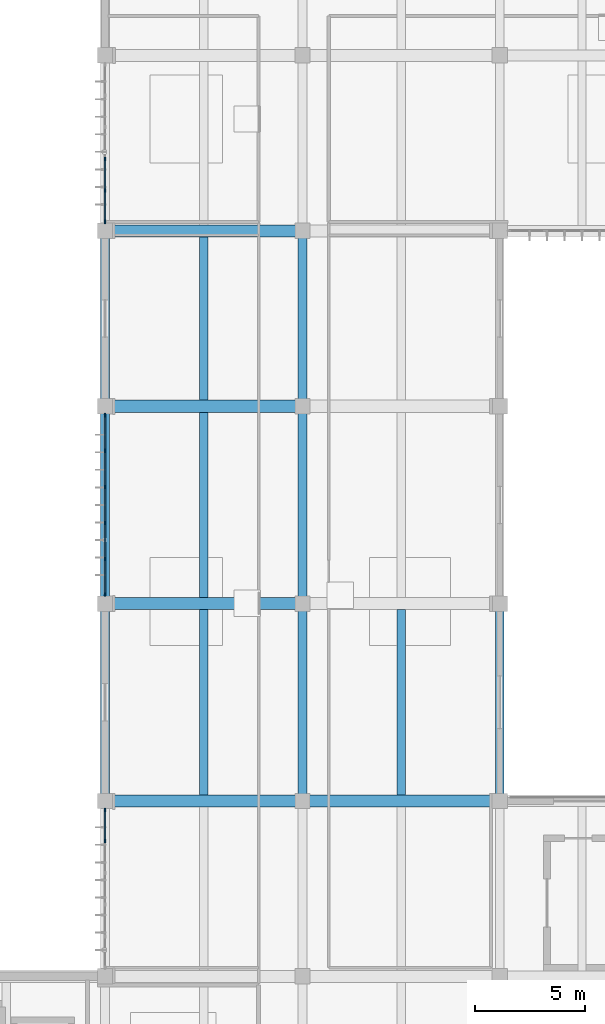
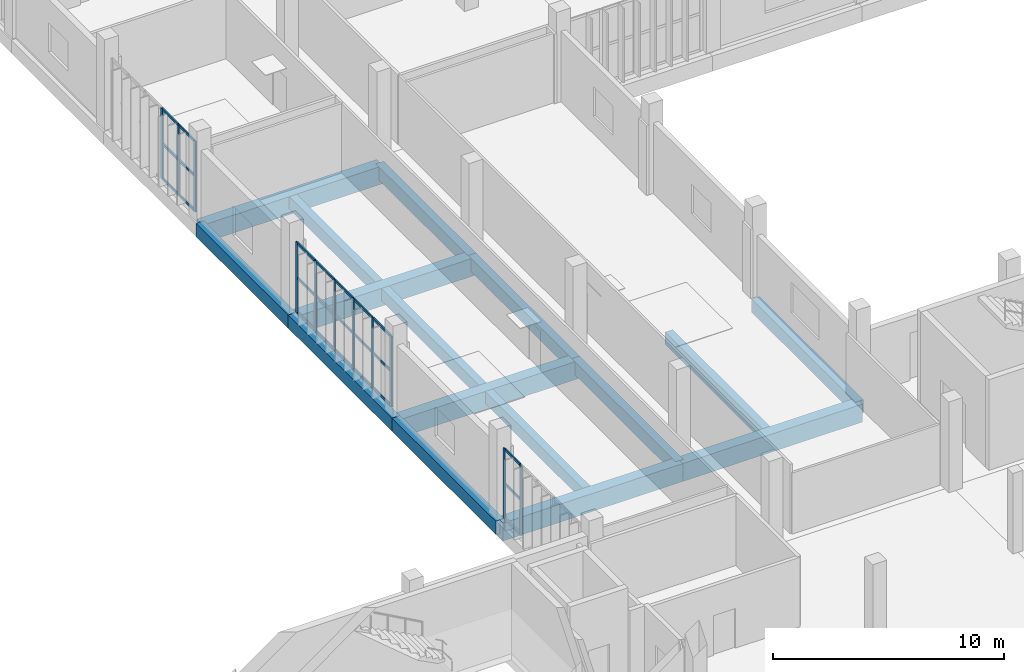
# One storey, part 9 of 72: 35 members, 16 beams, 3 elements without a shape of their own.
"""IFC4 building model written with IfcOpenShell, lengths in metres."""

from ifc_helpers import new_model, si_unit, direction, frame, origin, origin_2d, place, context, subcontext, project, spatial, rectangle, extrude, material, material_profile, profile_set, type_object, element, aggregate, save


model = new_model("IFC4")

# Units and contexts
model_context = context("Model", 3, precision=1e-05, world=origin(), true_north=direction((0.0, 1.0)))
body_context = subcontext(model_context, "Body", "Model", "MODEL_VIEW")
ifc_project = project(units=[si_unit("LENGTHUNIT", "METRE"), si_unit("AREAUNIT", "SQUARE_METRE"), si_unit("VOLUMEUNIT", "CUBIC_METRE"), si_unit("PLANEANGLEUNIT", "RADIAN"), si_unit("MASSUNIT", "GRAM", prefix="KILO")], contexts=[model_context])

# Site, building, storey
site_placement = place(None, origin())
site = spatial("IfcSite", under=ifc_project, at=site_placement, CompositionType="ELEMENT")
building_placement = place(site_placement, origin())
building = spatial("IfcBuilding", under=site, at=building_placement, Name="Vourika Railside Aquatics Centre", CompositionType="ELEMENT")
storey_placement = place(building_placement, origin())
storey = spatial("IfcBuildingStorey", under=building, at=storey_placement, Name="L00", CompositionType="ELEMENT", Elevation=0.0)

# Beams
ifc_material_1 = material(Name="Concrete C35/45", Category="concrete")
ifc_material_profile_1 = material_profile(ifc_material_1, rectangle(XDim=0.39990234375, YDim=0.699951171875, at=origin_2d()), Name="RC 400x700")
ifc_profile_set_1 = profile_set([ifc_material_profile_1], Name="Concrete C35/45")
beam_type_1 = type_object("IfcBeamType", Name="BM-GIRD-400x700", PredefinedType="BEAM", material=ifc_profile_set_1)
for number, where, z_axis, x_axis, name in (
    (1, (18.0, 66.0, -0.669921875), (0.0, 1.0, 0.0), (-1.0, 0.0, 0.0), "Floor Girder GY-L00-194"),
    (2, (18.0, 75.0, -0.669921875), (0.0, 1.0, 0.0), (-1.0, 0.0, 0.0), "Floor Girder GY-L00-195"),
):
    element("IfcBeam", number, at=place(storey_placement, frame(where, z_axis=z_axis, x_axis=x_axis)), inside=storey, type_object=beam_type_1, Name=name, PredefinedType="BEAM", context=body_context, shape_type="SweptSolid", body=[
        extrude(rectangle(XDim=0.39990234375, YDim=0.699951171875, at=origin_2d()), origin(), (0.0, 0.0, 1.0), 9.0),
    ])
beam_1_placement = place(storey_placement, frame((18.0, 84.0, -0.669921875), z_axis=(0.0, 1.0, 0.0), x_axis=(-1.0, 0.0, 0.0)))
element("IfcBeam", 3, at=beam_1_placement, inside=storey, type_object=beam_type_1, Name="Floor Girder GY-L00-196", PredefinedType="BEAM", context=body_context, shape_type="SweptSolid", body=[
    extrude(rectangle(XDim=0.39990234375, YDim=0.699951171875, at=origin_2d()), origin(), (0.0, 0.0, 1.0), 8.0),
])
for number, where, z_axis, x_axis, name in (
    (4, (27.0, 66.0, -0.669921875), (0.0, 1.0, 0.0), (-1.0, 0.0, 0.0), "Floor Girder GY-L00-202"),
    (5, (27.0, 75.0, -0.669921875), (0.0, 1.0, 0.0), (-1.0, 0.0, 0.0), "Floor Girder GY-L00-203"),
):
    element("IfcBeam", number, at=place(storey_placement, frame(where, z_axis=z_axis, x_axis=x_axis)), inside=storey, type_object=beam_type_1, Name=name, PredefinedType="BEAM", context=body_context, shape_type="SweptSolid", body=[
        extrude(rectangle(XDim=0.39990234375, YDim=0.699951171875, at=origin_2d()), origin(), (0.0, 0.0, 1.0), 9.0),
    ])
beam_2_placement = place(storey_placement, frame((27.0, 84.0, -0.669921875), z_axis=(0.0, 1.0, 0.0), x_axis=(-1.0, 0.0, 0.0)))
element("IfcBeam", 6, at=beam_2_placement, inside=storey, type_object=beam_type_1, Name="Floor Girder GY-L00-204", PredefinedType="BEAM", context=body_context, shape_type="SweptSolid", body=[
    extrude(rectangle(XDim=0.39990234375, YDim=0.699951171875, at=origin_2d()), origin(), (0.0, 0.0, 1.0), 8.0),
])
beam_3_placement = place(storey_placement, frame((36.0, 66.0, -0.669921875), z_axis=(0.0, 1.0, 0.0), x_axis=(-1.0, 0.0, 0.0)))
element("IfcBeam", 7, at=beam_3_placement, inside=storey, type_object=beam_type_1, Name="Floor Girder GY-L00-215", PredefinedType="BEAM", context=body_context, shape_type="SweptSolid", body=[
    extrude(rectangle(XDim=0.39990234375, YDim=0.699951171875, at=origin_2d()), origin(), (0.0, 0.0, 1.0), 9.0),
])
ifc_material_2 = material(Name="Concrete C40/50", Category="concrete")
ifc_material_profile_2 = material_profile(ifc_material_2, rectangle(XDim=0.550048828125, YDim=0.949951171875, at=origin_2d()), Name="RC 550x950")
ifc_profile_set_2 = profile_set([ifc_material_profile_2], Name="Concrete C40/50")
beam_type_2 = type_object("IfcBeamType", Name="BM-GIRD-550x950", PredefinedType="BEAM", material=ifc_profile_set_2)
for number, where, z_axis, x_axis, name in (
    (8, (18.0, 66.0, -0.794921875), (1.0, 0.0, 0.0), (0.0, 1.0, 0.0), "Floor Beam GX-L00-095"),
    (9, (27.0, 66.0, -0.794921875), (1.0, 0.0, 0.0), (0.0, 1.0, 0.0), "Floor Beam GX-L00-096"),
    (10, (18.0, 75.0, -0.794921875), (1.0, 0.0, 0.0), (0.0, 1.0, 0.0), "Floor Beam GX-L00-114"),
    (11, (18.0, 84.0, -0.794921875), (1.0, 0.0, 0.0), (0.0, 1.0, 0.0), "Floor Beam GX-L00-119"),
    (12, (18.0, 92.0, -0.794921875), (1.0, 0.0, 0.0), (0.0, 1.0, 0.0), "Floor Beam GX-L00-124"),
):
    element("IfcBeam", number, at=place(storey_placement, frame(where, z_axis=z_axis, x_axis=x_axis)), inside=storey, type_object=beam_type_2, Name=name, PredefinedType="BEAM", context=body_context, shape_type="SweptSolid", body=[
        extrude(rectangle(XDim=0.550048828125, YDim=0.949951171875, at=origin_2d()), origin(), (0.0, 0.0, 1.0), 9.0),
    ])
ifc_material_profile_3 = material_profile(ifc_material_1, rectangle(XDim=0.3798828125, YDim=0.64990234375, at=origin_2d()), Name="RC 380x650")
ifc_profile_set_3 = profile_set([ifc_material_profile_3], Name="Concrete C35/45")
beam_type_3 = type_object("IfcBeamType", Name="BM-SEC-380x650", PredefinedType="JOIST", material=ifc_profile_set_3)
for number, where, z_axis, x_axis, name in (
    (13, (22.5, 66.27490234375, -0.64501953125), (0.0, 1.0, 0.0), (-1.0, 0.0, 0.0), "Secondary Joist JY-L00-419"),
    (14, (31.5, 66.27490234375, -0.64501953125), (0.0, 1.0, 0.0), (-1.0, 0.0, 0.0), "Secondary Joist JY-L00-420"),
    (15, (22.5, 75.27490234375, -0.64501953125), (0.0, 1.0, 0.0), (-1.0, 0.0, 0.0), "Secondary Joist JY-L00-424"),
):
    element("IfcBeam", number, at=place(storey_placement, frame(where, z_axis=z_axis, x_axis=x_axis)), inside=storey, type_object=beam_type_3, Name=name, PredefinedType="JOIST", context=body_context, shape_type="SweptSolid", body=[
        extrude(rectangle(XDim=0.3798828125, YDim=0.64990234375, at=origin_2d()), origin(), (0.0, 0.0, 1.0), 8.4501953125),
    ])
beam_4_placement = place(storey_placement, frame((22.5, 84.27490234375, -0.64501953125), z_axis=(0.0, 1.0, 0.0), x_axis=(-1.0, 0.0, 0.0)))
element("IfcBeam", 16, at=beam_4_placement, inside=storey, type_object=beam_type_3, Name="Secondary Joist JY-L00-429", PredefinedType="JOIST", context=body_context, shape_type="SweptSolid", body=[
    extrude(rectangle(XDim=0.3798828125, YDim=0.64990234375, at=origin_2d()), origin(), (0.0, 0.0, 1.0), 7.4501953125),
])

# Curtain wall, members
ifc_material_3 = material(Name="Anodized thermally broken aluminium", Category="aluminium")
curtain_wall_type = type_object("IfcCurtainWallType", Name="CW-FIT0", PredefinedType="NOTDEFINED", material=ifc_material_3)
curtain_wall_1_placement = place(storey_placement, origin())
curtain_wall_1 = element("IfcCurtainWall", 17, at=curtain_wall_1_placement, inside=storey, type_object=curtain_wall_type, Name="Fitness West Boulevard Curtain Wall L00-1", PredefinedType="NOTDEFINED")
ifc_material_4 = material(Name="Anodized aluminium mullion", Category="aluminium")
ifc_material_profile_4 = material_profile(ifc_material_4, rectangle(XDim=0.06494140625, YDim=0.1640625, at=origin_2d()), Name="ALU-M 65x164")
ifc_profile_set_4 = profile_set([ifc_material_profile_4], Name="Anodized aluminium mullion")
member_type_1 = type_object("IfcMemberType", Name="CWM-FIT0", PredefinedType="MULLION", material=ifc_profile_set_4)
member_1_placement = place(storey_placement, frame((18.0, 65.58740234375, 0.0), z_axis=(0.0, 0.0, 1.0), x_axis=(1.0, 0.0, 0.0)))
member_1 = element("IfcMember", 18, at=member_1_placement, type_object=member_type_1, Name="CW14 mullion 1", PredefinedType="MULLION", context=body_context, shape_type="SweptSolid", body=[
    extrude(rectangle(XDim=0.06494140625, YDim=0.1640625, at=origin_2d()), origin(), (0.0, 0.0, 1.0), 3.72998046875),
])
member_2_placement = place(storey_placement, frame((18.0, 64.172119140625, 0.0), z_axis=(0.0, 0.0, 1.0), x_axis=(1.0, 0.0, 0.0)))
member_2 = element("IfcMember", 19, at=member_2_placement, type_object=member_type_1, Name="CW14 mullion 2", PredefinedType="MULLION", context=body_context, shape_type="SweptSolid", body=[
    extrude(rectangle(XDim=0.06494140625, YDim=0.1640625, at=origin_2d()), origin(), (0.0, 0.0, 1.0), 3.72998046875),
])

curtain_wall_2_placement = place(storey_placement, origin())
curtain_wall_2 = element("IfcCurtainWall", 20, at=curtain_wall_2_placement, inside=storey, type_object=curtain_wall_type, Name="Fitness West Boulevard Curtain Wall L00-3", PredefinedType="NOTDEFINED")
member_3_placement = place(storey_placement, frame((18.0, 83.58740234375, 0.0), z_axis=(0.0, 0.0, 1.0), x_axis=(1.0, 0.0, 0.0)))
member_3 = element("IfcMember", 21, at=member_3_placement, type_object=member_type_1, Name="CW14 mullion 1", PredefinedType="MULLION", context=body_context, shape_type="SweptSolid", body=[
    extrude(rectangle(XDim=0.06494140625, YDim=0.1640625, at=origin_2d()), origin(), (0.0, 0.0, 1.0), 3.72998046875),
])
member_4_placement = place(storey_placement, frame((18.0, 81.971923828125, 0.0), z_axis=(0.0, 0.0, 1.0), x_axis=(1.0, 0.0, 0.0)))
member_4 = element("IfcMember", 22, at=member_4_placement, type_object=member_type_1, Name="CW14 mullion 2", PredefinedType="MULLION", context=body_context, shape_type="SweptSolid", body=[
    extrude(rectangle(XDim=0.06494140625, YDim=0.1640625, at=origin_2d()), origin(), (0.0, 0.0, 1.0), 3.72998046875),
])
member_5_placement = place(storey_placement, frame((18.0, 80.323974609375, 0.0), z_axis=(0.0, 0.0, 1.0), x_axis=(1.0, 0.0, 0.0)))
member_5 = element("IfcMember", 23, at=member_5_placement, type_object=member_type_1, Name="CW14 mullion 3", PredefinedType="MULLION", context=body_context, shape_type="SweptSolid", body=[
    extrude(rectangle(XDim=0.06494140625, YDim=0.1640625, at=origin_2d()), origin(), (0.0, 0.0, 1.0), 3.72998046875),
])
member_6_placement = place(storey_placement, frame((18.0, 78.676025390625, 0.0), z_axis=(0.0, 0.0, 1.0), x_axis=(1.0, 0.0, 0.0)))
member_6 = element("IfcMember", 24, at=member_6_placement, type_object=member_type_1, Name="CW14 mullion 4", PredefinedType="MULLION", context=body_context, shape_type="SweptSolid", body=[
    extrude(rectangle(XDim=0.06494140625, YDim=0.1640625, at=origin_2d()), origin(), (0.0, 0.0, 1.0), 3.72998046875),
])
member_7_placement = place(storey_placement, frame((18.0, 77.028076171875, 0.0), z_axis=(0.0, 0.0, 1.0), x_axis=(1.0, 0.0, 0.0)))
member_7 = element("IfcMember", 25, at=member_7_placement, type_object=member_type_1, Name="CW14 mullion 5", PredefinedType="MULLION", context=body_context, shape_type="SweptSolid", body=[
    extrude(rectangle(XDim=0.06494140625, YDim=0.1640625, at=origin_2d()), origin(), (0.0, 0.0, 1.0), 3.72998046875),
])
member_8_placement = place(storey_placement, frame((18.0, 75.41259765625, 0.0), z_axis=(0.0, 0.0, 1.0), x_axis=(1.0, 0.0, 0.0)))
member_8 = element("IfcMember", 26, at=member_8_placement, type_object=member_type_1, Name="CW14 mullion 6", PredefinedType="MULLION", context=body_context, shape_type="SweptSolid", body=[
    extrude(rectangle(XDim=0.06494140625, YDim=0.1640625, at=origin_2d()), origin(), (0.0, 0.0, 1.0), 3.72998046875),
])

curtain_wall_3_placement = place(storey_placement, origin())
curtain_wall_3 = element("IfcCurtainWall", 27, at=curtain_wall_3_placement, inside=storey, type_object=curtain_wall_type, Name="Fitness West Boulevard Curtain Wall L00-5", PredefinedType="NOTDEFINED")
member_9_placement = place(storey_placement, frame((18.0, 95.27587890625, 0.0), z_axis=(0.0, 0.0, 1.0), x_axis=(1.0, 0.0, 0.0)))
member_9 = element("IfcMember", 28, at=member_9_placement, type_object=member_type_1, Name="CW14 mullion 4", PredefinedType="MULLION", context=body_context, shape_type="SweptSolid", body=[
    extrude(rectangle(XDim=0.06494140625, YDim=0.1640625, at=origin_2d()), origin(), (0.0, 0.0, 1.0), 3.72998046875),
])
member_10_placement = place(storey_placement, frame((18.0, 93.827880859375, 0.0), z_axis=(0.0, 0.0, 1.0), x_axis=(1.0, 0.0, 0.0)))
member_10 = element("IfcMember", 29, at=member_10_placement, type_object=member_type_1, Name="CW14 mullion 5", PredefinedType="MULLION", context=body_context, shape_type="SweptSolid", body=[
    extrude(rectangle(XDim=0.06494140625, YDim=0.1640625, at=origin_2d()), origin(), (0.0, 0.0, 1.0), 3.72998046875),
])
member_11_placement = place(storey_placement, frame((18.0, 92.41259765625, 0.0), z_axis=(0.0, 0.0, 1.0), x_axis=(1.0, 0.0, 0.0)))
member_11 = element("IfcMember", 30, at=member_11_placement, type_object=member_type_1, Name="CW14 mullion 6", PredefinedType="MULLION", context=body_context, shape_type="SweptSolid", body=[
    extrude(rectangle(XDim=0.06494140625, YDim=0.1640625, at=origin_2d()), origin(), (0.0, 0.0, 1.0), 3.72998046875),
])

# Member
ifc_material_5 = material(Name="Anodized aluminium transom", Category="aluminium")
ifc_material_profile_5 = material_profile(ifc_material_5, rectangle(XDim=0.06494140625, YDim=0.1279296875, at=origin_2d()), Name="ALU-T 65x128")
ifc_profile_set_5 = profile_set([ifc_material_profile_5], Name="Anodized aluminium transom")
member_type_2 = type_object("IfcMemberType", Name="CWT-FIT0", PredefinedType="USERDEFINED", material=ifc_profile_set_5)
member_12_placement = place(storey_placement, frame((18.0, 65.554931640625, 0.032470703125), z_axis=(0.0, -1.0, 0.0), x_axis=(1.0, 0.0, 0.0)))
member_12 = element("IfcMember", 31, at=member_12_placement, type_object=member_type_2, Name="CW14 transom 1.1", ObjectType="TRANSOM", PredefinedType="USERDEFINED", context=body_context, shape_type="SweptSolid", body=[
    extrude(rectangle(XDim=0.06494140625, YDim=0.1279296875, at=origin_2d()), origin(), (0.0, 0.0, 1.0), 1.350341796875),
])

member_13_placement = place(storey_placement, frame((18.0, 65.554931640625, 1.864990234375), z_axis=(0.0, -1.0, 0.0), x_axis=(1.0, 0.0, 0.0)))
member_13 = element("IfcMember", 32, at=member_13_placement, type_object=member_type_2, Name="CW14 transom 1.2", ObjectType="TRANSOM", PredefinedType="USERDEFINED", context=body_context, shape_type="SweptSolid", body=[
    extrude(rectangle(XDim=0.06494140625, YDim=0.1279296875, at=origin_2d()), origin(), (0.0, 0.0, 1.0), 1.350341796875),
])

member_14_placement = place(storey_placement, frame((18.0, 65.554931640625, 3.697509765625), z_axis=(0.0, -1.0, 0.0), x_axis=(1.0, 0.0, 0.0)))
member_14 = element("IfcMember", 33, at=member_14_placement, type_object=member_type_2, Name="CW14 transom 1.3", ObjectType="TRANSOM", PredefinedType="USERDEFINED", context=body_context, shape_type="SweptSolid", body=[
    extrude(rectangle(XDim=0.06494140625, YDim=0.1279296875, at=origin_2d()), origin(), (0.0, 0.0, 1.0), 1.350341796875),
])

aggregate(curtain_wall_1, [member_1, member_2, member_12, member_13, member_14])

member_15_placement = place(storey_placement, frame((18.0, 83.554931640625, 0.032470703125), z_axis=(0.0, -1.0, 0.0), x_axis=(1.0, 0.0, 0.0)))
member_15 = element("IfcMember", 34, at=member_15_placement, type_object=member_type_2, Name="CW14 transom 1.1", ObjectType="TRANSOM", PredefinedType="USERDEFINED", context=body_context, shape_type="SweptSolid", body=[
    extrude(rectangle(XDim=0.06494140625, YDim=0.1279296875, at=origin_2d()), origin(), (0.0, 0.0, 1.0), 1.550537109375),
])

member_16_placement = place(storey_placement, frame((18.0, 83.554931640625, 1.864990234375), z_axis=(0.0, -1.0, 0.0), x_axis=(1.0, 0.0, 0.0)))
member_16 = element("IfcMember", 35, at=member_16_placement, type_object=member_type_2, Name="CW14 transom 1.2", ObjectType="TRANSOM", PredefinedType="USERDEFINED", context=body_context, shape_type="SweptSolid", body=[
    extrude(rectangle(XDim=0.06494140625, YDim=0.1279296875, at=origin_2d()), origin(), (0.0, 0.0, 1.0), 1.550537109375),
])

member_17_placement = place(storey_placement, frame((18.0, 83.554931640625, 3.697509765625), z_axis=(0.0, -1.0, 0.0), x_axis=(1.0, 0.0, 0.0)))
member_17 = element("IfcMember", 36, at=member_17_placement, type_object=member_type_2, Name="CW14 transom 1.3", ObjectType="TRANSOM", PredefinedType="USERDEFINED", context=body_context, shape_type="SweptSolid", body=[
    extrude(rectangle(XDim=0.06494140625, YDim=0.1279296875, at=origin_2d()), origin(), (0.0, 0.0, 1.0), 1.550537109375),
])

member_18_placement = place(storey_placement, frame((18.0, 81.939453125, 0.032470703125), z_axis=(0.0, -1.0, 0.0), x_axis=(1.0, 0.0, 0.0)))
member_18 = element("IfcMember", 37, at=member_18_placement, type_object=member_type_2, Name="CW14 transom 2.1", ObjectType="TRANSOM", PredefinedType="USERDEFINED", context=body_context, shape_type="SweptSolid", body=[
    extrude(rectangle(XDim=0.06494140625, YDim=0.1279296875, at=origin_2d()), origin(), (0.0, 0.0, 1.0), 1.5830078125),
])

member_19_placement = place(storey_placement, frame((18.0, 81.939453125, 1.864990234375), z_axis=(0.0, -1.0, 0.0), x_axis=(1.0, 0.0, 0.0)))
member_19 = element("IfcMember", 38, at=member_19_placement, type_object=member_type_2, Name="CW14 transom 2.2", ObjectType="TRANSOM", PredefinedType="USERDEFINED", context=body_context, shape_type="SweptSolid", body=[
    extrude(rectangle(XDim=0.06494140625, YDim=0.1279296875, at=origin_2d()), origin(), (0.0, 0.0, 1.0), 1.5830078125),
])

member_20_placement = place(storey_placement, frame((18.0, 81.939453125, 3.697509765625), z_axis=(0.0, -1.0, 0.0), x_axis=(1.0, 0.0, 0.0)))
member_20 = element("IfcMember", 39, at=member_20_placement, type_object=member_type_2, Name="CW14 transom 2.3", ObjectType="TRANSOM", PredefinedType="USERDEFINED", context=body_context, shape_type="SweptSolid", body=[
    extrude(rectangle(XDim=0.06494140625, YDim=0.1279296875, at=origin_2d()), origin(), (0.0, 0.0, 1.0), 1.5830078125),
])

member_21_placement = place(storey_placement, frame((18.0, 80.29150390625, 0.032470703125), z_axis=(0.0, -1.0, 0.0), x_axis=(1.0, 0.0, 0.0)))
member_21 = element("IfcMember", 40, at=member_21_placement, type_object=member_type_2, Name="CW14 transom 3.1", ObjectType="TRANSOM", PredefinedType="USERDEFINED", context=body_context, shape_type="SweptSolid", body=[
    extrude(rectangle(XDim=0.06494140625, YDim=0.1279296875, at=origin_2d()), origin(), (0.0, 0.0, 1.0), 1.5830078125),
])

member_22_placement = place(storey_placement, frame((18.0, 80.29150390625, 1.864990234375), z_axis=(0.0, -1.0, 0.0), x_axis=(1.0, 0.0, 0.0)))
member_22 = element("IfcMember", 41, at=member_22_placement, type_object=member_type_2, Name="CW14 transom 3.2", ObjectType="TRANSOM", PredefinedType="USERDEFINED", context=body_context, shape_type="SweptSolid", body=[
    extrude(rectangle(XDim=0.06494140625, YDim=0.1279296875, at=origin_2d()), origin(), (0.0, 0.0, 1.0), 1.5830078125),
])

member_23_placement = place(storey_placement, frame((18.0, 80.29150390625, 3.697509765625), z_axis=(0.0, -1.0, 0.0), x_axis=(1.0, 0.0, 0.0)))
member_23 = element("IfcMember", 42, at=member_23_placement, type_object=member_type_2, Name="CW14 transom 3.3", ObjectType="TRANSOM", PredefinedType="USERDEFINED", context=body_context, shape_type="SweptSolid", body=[
    extrude(rectangle(XDim=0.06494140625, YDim=0.1279296875, at=origin_2d()), origin(), (0.0, 0.0, 1.0), 1.5830078125),
])

member_24_placement = place(storey_placement, frame((18.0, 78.6435546875, 0.032470703125), z_axis=(0.0, -1.0, 0.0), x_axis=(1.0, 0.0, 0.0)))
member_24 = element("IfcMember", 43, at=member_24_placement, type_object=member_type_2, Name="CW14 transom 4.1", ObjectType="TRANSOM", PredefinedType="USERDEFINED", context=body_context, shape_type="SweptSolid", body=[
    extrude(rectangle(XDim=0.06494140625, YDim=0.1279296875, at=origin_2d()), origin(), (0.0, 0.0, 1.0), 1.5830078125),
])

member_25_placement = place(storey_placement, frame((18.0, 78.6435546875, 1.864990234375), z_axis=(0.0, -1.0, 0.0), x_axis=(1.0, 0.0, 0.0)))
member_25 = element("IfcMember", 44, at=member_25_placement, type_object=member_type_2, Name="CW14 transom 4.2", ObjectType="TRANSOM", PredefinedType="USERDEFINED", context=body_context, shape_type="SweptSolid", body=[
    extrude(rectangle(XDim=0.06494140625, YDim=0.1279296875, at=origin_2d()), origin(), (0.0, 0.0, 1.0), 1.5830078125),
])

member_26_placement = place(storey_placement, frame((18.0, 78.6435546875, 3.697509765625), z_axis=(0.0, -1.0, 0.0), x_axis=(1.0, 0.0, 0.0)))
member_26 = element("IfcMember", 45, at=member_26_placement, type_object=member_type_2, Name="CW14 transom 4.3", ObjectType="TRANSOM", PredefinedType="USERDEFINED", context=body_context, shape_type="SweptSolid", body=[
    extrude(rectangle(XDim=0.06494140625, YDim=0.1279296875, at=origin_2d()), origin(), (0.0, 0.0, 1.0), 1.5830078125),
])

member_27_placement = place(storey_placement, frame((18.0, 76.99560546875, 0.032470703125), z_axis=(0.0, -1.0, 0.0), x_axis=(1.0, 0.0, 0.0)))
member_27 = element("IfcMember", 46, at=member_27_placement, type_object=member_type_2, Name="CW14 transom 5.1", ObjectType="TRANSOM", PredefinedType="USERDEFINED", context=body_context, shape_type="SweptSolid", body=[
    extrude(rectangle(XDim=0.06494140625, YDim=0.1279296875, at=origin_2d()), origin(), (0.0, 0.0, 1.0), 1.550537109375),
])

member_28_placement = place(storey_placement, frame((18.0, 76.99560546875, 1.864990234375), z_axis=(0.0, -1.0, 0.0), x_axis=(1.0, 0.0, 0.0)))
member_28 = element("IfcMember", 47, at=member_28_placement, type_object=member_type_2, Name="CW14 transom 5.2", ObjectType="TRANSOM", PredefinedType="USERDEFINED", context=body_context, shape_type="SweptSolid", body=[
    extrude(rectangle(XDim=0.06494140625, YDim=0.1279296875, at=origin_2d()), origin(), (0.0, 0.0, 1.0), 1.550537109375),
])

member_29_placement = place(storey_placement, frame((18.0, 76.99560546875, 3.697509765625), z_axis=(0.0, -1.0, 0.0), x_axis=(1.0, 0.0, 0.0)))
member_29 = element("IfcMember", 48, at=member_29_placement, type_object=member_type_2, Name="CW14 transom 5.3", ObjectType="TRANSOM", PredefinedType="USERDEFINED", context=body_context, shape_type="SweptSolid", body=[
    extrude(rectangle(XDim=0.06494140625, YDim=0.1279296875, at=origin_2d()), origin(), (0.0, 0.0, 1.0), 1.550537109375),
])

aggregate(curtain_wall_2, [member_3, member_4, member_5, member_6, member_7, member_8, member_15, member_16, member_17, member_18, member_19, member_20, member_21, member_22, member_23, member_24, member_25, member_26, member_27, member_28, member_29])

member_30_placement = place(storey_placement, frame((18.0, 95.243408203125, 0.032470703125), z_axis=(0.0, -1.0, 0.0), x_axis=(1.0, 0.0, 0.0)))
member_30 = element("IfcMember", 49, at=member_30_placement, type_object=member_type_2, Name="CW14 transom 4.1", ObjectType="TRANSOM", PredefinedType="USERDEFINED", context=body_context, shape_type="SweptSolid", body=[
    extrude(rectangle(XDim=0.06494140625, YDim=0.1279296875, at=origin_2d()), origin(), (0.0, 0.0, 1.0), 1.3828125),
])

member_31_placement = place(storey_placement, frame((18.0, 95.243408203125, 1.864990234375), z_axis=(0.0, -1.0, 0.0), x_axis=(1.0, 0.0, 0.0)))
member_31 = element("IfcMember", 50, at=member_31_placement, type_object=member_type_2, Name="CW14 transom 4.2", ObjectType="TRANSOM", PredefinedType="USERDEFINED", context=body_context, shape_type="SweptSolid", body=[
    extrude(rectangle(XDim=0.06494140625, YDim=0.1279296875, at=origin_2d()), origin(), (0.0, 0.0, 1.0), 1.3828125),
])

member_32_placement = place(storey_placement, frame((18.0, 95.243408203125, 3.697509765625), z_axis=(0.0, -1.0, 0.0), x_axis=(1.0, 0.0, 0.0)))
member_32 = element("IfcMember", 51, at=member_32_placement, type_object=member_type_2, Name="CW14 transom 4.3", ObjectType="TRANSOM", PredefinedType="USERDEFINED", context=body_context, shape_type="SweptSolid", body=[
    extrude(rectangle(XDim=0.06494140625, YDim=0.1279296875, at=origin_2d()), origin(), (0.0, 0.0, 1.0), 1.3828125),
])

member_33_placement = place(storey_placement, frame((18.0, 93.79541015625, 0.032470703125), z_axis=(0.0, -1.0, 0.0), x_axis=(1.0, 0.0, 0.0)))
member_33 = element("IfcMember", 52, at=member_33_placement, type_object=member_type_2, Name="CW14 transom 5.1", ObjectType="TRANSOM", PredefinedType="USERDEFINED", context=body_context, shape_type="SweptSolid", body=[
    extrude(rectangle(XDim=0.06494140625, YDim=0.1279296875, at=origin_2d()), origin(), (0.0, 0.0, 1.0), 1.350341796875),
])

member_34_placement = place(storey_placement, frame((18.0, 93.79541015625, 1.864990234375), z_axis=(0.0, -1.0, 0.0), x_axis=(1.0, 0.0, 0.0)))
member_34 = element("IfcMember", 53, at=member_34_placement, type_object=member_type_2, Name="CW14 transom 5.2", ObjectType="TRANSOM", PredefinedType="USERDEFINED", context=body_context, shape_type="SweptSolid", body=[
    extrude(rectangle(XDim=0.06494140625, YDim=0.1279296875, at=origin_2d()), origin(), (0.0, 0.0, 1.0), 1.350341796875),
])

member_35_placement = place(storey_placement, frame((18.0, 93.79541015625, 3.697509765625), z_axis=(0.0, -1.0, 0.0), x_axis=(1.0, 0.0, 0.0)))
member_35 = element("IfcMember", 54, at=member_35_placement, type_object=member_type_2, Name="CW14 transom 5.3", ObjectType="TRANSOM", PredefinedType="USERDEFINED", context=body_context, shape_type="SweptSolid", body=[
    extrude(rectangle(XDim=0.06494140625, YDim=0.1279296875, at=origin_2d()), origin(), (0.0, 0.0, 1.0), 1.350341796875),
])

aggregate(curtain_wall_3, [member_9, member_10, member_11, member_30, member_31, member_32, member_33, member_34, member_35])

save(model, "model.ifc")
